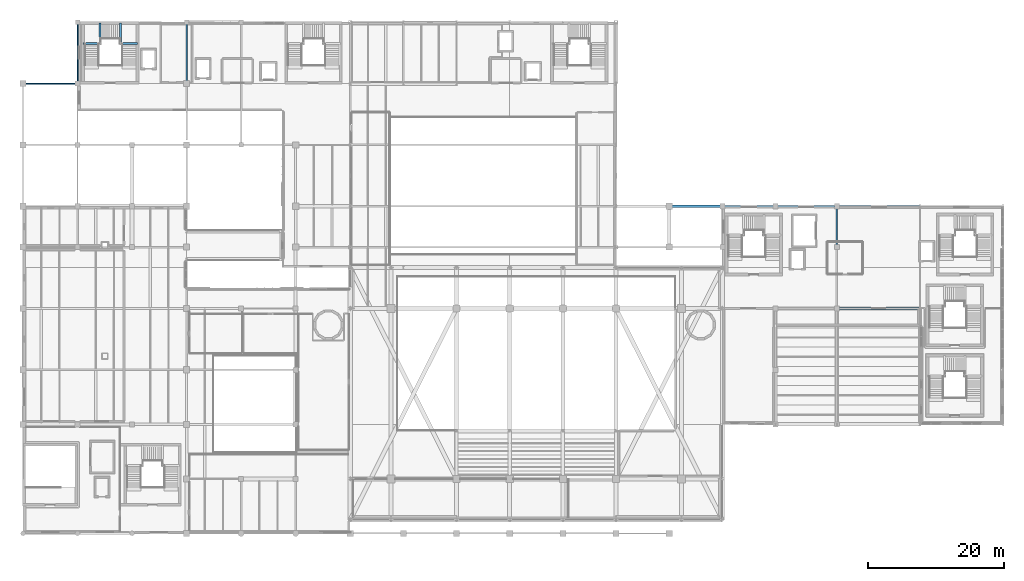
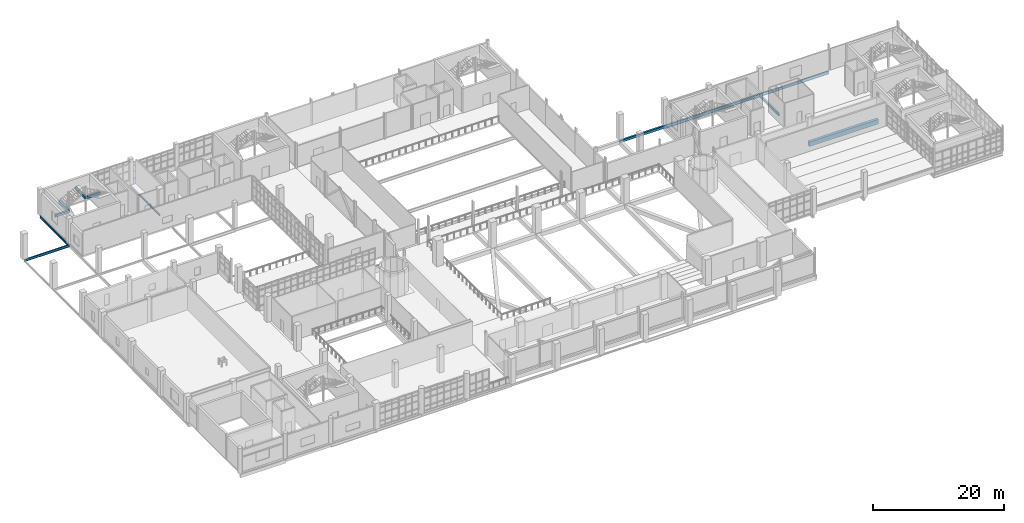
# One storey, part 43 of 100: 13 beams.
"""IFC4 building model written with IfcOpenShell, lengths in metres."""

from ifc_helpers import new_model, si_unit, derived_unit, direction, frame, origin, origin_2d, place, context, subcontext, project, spatial, rectangle, i_section, extrude, material, material_profile, profile_set, type_object, element, save


model = new_model("IFC4")

# Units and contexts
model_context = context("Model", 3, precision=1e-05, world=origin(), true_north=direction((0.0, 1.0)))
body_context = subcontext(model_context, "Body", "Model", "MODEL_VIEW")
ifc_project = project(units=[si_unit("LENGTHUNIT", "METRE"), si_unit("AREAUNIT", "SQUARE_METRE"), si_unit("VOLUMEUNIT", "CUBIC_METRE"), si_unit("PLANEANGLEUNIT", "RADIAN"), si_unit("MASSUNIT", "GRAM", prefix="KILO"), derived_unit("THERMALTRANSMITTANCEUNIT", [(si_unit("POWERUNIT", "WATT"), 1), (si_unit("LENGTHUNIT", "METRE"), -2), (si_unit("THERMODYNAMICTEMPERATUREUNIT", "KELVIN"), -1)])], contexts=[model_context])

# Site, building, storey
site_placement = place(None, origin())
site = spatial("IfcSite", under=ifc_project, at=site_placement, CompositionType="ELEMENT")
building_placement = place(site_placement, origin())
building = spatial("IfcBuilding", under=site, at=building_placement, Name="Nallur Shell Playhouse", CompositionType="ELEMENT")
storey_placement = place(building_placement, frame((0.0, 0.0, 10.199951171875)))
storey = spatial("IfcBuildingStorey", under=building, at=storey_placement, Name="L03", CompositionType="ELEMENT", Elevation=10.199951171875)

# Beams
ifc_material_1 = material(Name="Concrete M40", Category="concrete")
ifc_material_profile_1 = material_profile(ifc_material_1, rectangle(XDim=0.5, YDim=0.85009765625, at=origin_2d()), Name="RC 500x850")
ifc_profile_set_1 = profile_set([ifc_material_profile_1], Name="Concrete M40")
beam_type_1 = type_object("IfcBeamType", Name="BM-RC-500x850", PredefinedType="BEAM", material=ifc_profile_set_1)
beam_1_placement = place(storey_placement, frame((135.39990234375, 41.0, -0.46484375), z_axis=(1.0, 0.0, 0.0), x_axis=(0.0, 1.0, 0.0)))
element("IfcBeam", 1, at=beam_1_placement, inside=storey, type_object=beam_type_1, Name="Studio raker end tie girder F (135.4-147.6)", PredefinedType="BEAM", context=body_context, shape_type="SweptSolid", body=[
    extrude(rectangle(XDim=0.5, YDim=0.85009765625, at=origin_2d()), origin(), (0.0, 0.0, 1.0), 12.2001953125),
])
ifc_material_2 = material(Name="Concrete M35", Category="concrete")
ifc_material_profile_2 = material_profile(ifc_material_2, rectangle(XDim=0.300048828125, YDim=0.449951171875, at=origin_2d()), Name="RC 300x450")
ifc_profile_set_2 = profile_set([ifc_material_profile_2], Name="Concrete M35")
beam_type_2 = type_object("IfcBeamType", Name="BM-SPN-300x450", PredefinedType="SPANDREL", material=ifc_profile_set_2)
beam_2_placement = place(storey_placement, frame((110.800048828125, 56.0, -0.48486328125), z_axis=(1.0, 0.0, 0.0), x_axis=(0.0, 1.0, 0.0)))
element("IfcBeam", 2, at=beam_2_placement, inside=storey, type_object=beam_type_2, Name="L03 girder X-G-608", PredefinedType="SPANDREL", context=body_context, shape_type="SweptSolid", body=[
    extrude(rectangle(XDim=0.300048828125, YDim=0.449951171875, at=origin_2d()), origin(), (0.0, 0.0, 1.0), 7.800048828125),
])
beam_3_placement = place(storey_placement, frame((24.820068359375, 79.8798828125, 1.22509765625), z_axis=(1.0, 0.0, 0.0), x_axis=(0.0, 1.0, 0.0)))
element("IfcBeam", 3, at=beam_3_placement, inside=storey, type_object=beam_type_2, Name="Stair ST-06-L03 L1 south bearer beam", PredefinedType="SPANDREL", context=body_context, shape_type="SweptSolid", body=[
    extrude(rectangle(XDim=0.300048828125, YDim=0.449951171875, at=origin_2d()), origin(), (0.0, 0.0, 1.0), 2.559814453125),
])
beam_4_placement = place(storey_placement, frame((27.320068359375, 79.8798828125, 1.22509765625), z_axis=(0.0, 1.0, 0.0), x_axis=(-1.0, 0.0, 0.0)))
element("IfcBeam", 4, at=beam_4_placement, inside=storey, type_object=beam_type_2, Name="Stair ST-06-L03 L1 east bearer beam", PredefinedType="SPANDREL", context=body_context, shape_type="SweptSolid", body=[
    extrude(rectangle(XDim=0.300048828125, YDim=0.449951171875, at=origin_2d()), origin(), (0.0, 0.0, 1.0), 3.0),
])
beam_5_placement = place(storey_placement, frame((30.219970703125, 79.8798828125, 2.72509765625), z_axis=(1.0, 0.0, 0.0), x_axis=(0.0, 1.0, 0.0)))
element("IfcBeam", 5, at=beam_5_placement, inside=storey, type_object=beam_type_2, Name="Stair ST-06-L03 L2 south bearer beam", PredefinedType="SPANDREL", context=body_context, shape_type="SweptSolid", body=[
    extrude(rectangle(XDim=0.300048828125, YDim=0.449951171875, at=origin_2d()), origin(), (0.0, 0.0, 1.0), 2.56005859375),
])
beam_6_placement = place(storey_placement, frame((30.280029296875, 79.8798828125, 2.72509765625), z_axis=(0.0, 1.0, 0.0), x_axis=(-1.0, 0.0, 0.0)))
element("IfcBeam", 6, at=beam_6_placement, inside=storey, type_object=beam_type_2, Name="Stair ST-06-L03 L2 west bearer beam", PredefinedType="SPANDREL", context=body_context, shape_type="SweptSolid", body=[
    extrude(rectangle(XDim=0.300048828125, YDim=0.449951171875, at=origin_2d()), origin(), (0.0, 0.0, 1.0), 3.0),
])
ifc_material_3 = material(Name="Steel E350", Category="steel")
ifc_material_profile_3 = material_profile(ifc_material_3, i_section(OverallWidth=0.14990234375, OverallDepth=0.449951171875, WebThickness=0.009521484375, FlangeThickness=0.017333984375, FilletRadius=0.014892578125, at=origin_2d()), Name="ISMB 450")
ifc_profile_set_3 = profile_set([ifc_material_profile_3], Name="Steel E350")
beam_type_3 = type_object("IfcBeamType", Name="BM-ST-ISMB450", PredefinedType="BEAM", material=ifc_profile_set_3)
beam_7_placement = place(storey_placement, frame((16.0, 74.0, -0.48486328125), z_axis=(1.0, 0.0, 0.0), x_axis=(0.0, 1.0, 0.0)))
element("IfcBeam", 7, at=beam_7_placement, inside=storey, type_object=beam_type_3, Name="L03 girder X-J-619", PredefinedType="BEAM", context=body_context, shape_type="SweptSolid", body=[
    extrude(i_section(OverallWidth=0.14990234375, OverallDepth=0.449951171875, WebThickness=0.009521484375, FlangeThickness=0.017333984375, FilletRadius=0.014892578125, at=origin_2d()), origin(), (0.0, 0.0, 1.0), 8.0),
])
beam_8_placement = place(storey_placement, frame((24.0, 74.0, -0.48486328125), z_axis=(0.0, 1.0, 0.0), x_axis=(-1.0, 0.0, 0.0)))
element("IfcBeam", 8, at=beam_8_placement, inside=storey, type_object=beam_type_3, Name="L03 girder Y-3-635", PredefinedType="BEAM", context=body_context, shape_type="SweptSolid", body=[
    extrude(i_section(OverallWidth=0.14990234375, OverallDepth=0.449951171875, WebThickness=0.009521484375, FlangeThickness=0.017333984375, FilletRadius=0.014892578125, at=origin_2d()), origin(), (0.0, 0.0, 1.0), 9.0),
])
ifc_material_4 = material(Name="Steel E250", Category="steel")
ifc_material_profile_4 = material_profile(ifc_material_4, i_section(OverallWidth=0.199951171875, OverallDepth=0.300048828125, WebThickness=0.00732421875, FlangeThickness=0.010009765625, FilletRadius=0.010986328125, at=origin_2d()), Name="ISWB 300")
ifc_profile_set_4 = profile_set([ifc_material_profile_4], Name="Steel E250")
beam_type_4 = type_object("IfcBeamType", Name="BM-ST-ISWB300", PredefinedType="BEAM", material=ifc_profile_set_4)
beam_9_placement = place(storey_placement, frame((40.0, 74.0, -0.409912109375), z_axis=(0.0, 1.0, 0.0), x_axis=(-1.0, 0.0, 0.0)))
element("IfcBeam", 9, at=beam_9_placement, inside=storey, type_object=beam_type_4, Name="L03 girder Y-5-647", PredefinedType="BEAM", context=body_context, shape_type="SweptSolid", body=[
    extrude(i_section(OverallWidth=0.199951171875, OverallDepth=0.300048828125, WebThickness=0.00732421875, FlangeThickness=0.010009765625, FilletRadius=0.010986328125, at=origin_2d()), origin(), (0.0, 0.0, 1.0), 9.0),
])
ifc_material_profile_5 = material_profile(ifc_material_3, i_section(OverallWidth=0.25, OverallDepth=0.5, WebThickness=0.010009765625, FlangeThickness=0.0146484375, FilletRadius=0.014892578125, at=origin_2d()), Name="ISWB 500")
ifc_profile_set_5 = profile_set([ifc_material_profile_5], Name="Steel E350")
beam_type_5 = type_object("IfcBeamType", Name="BM-ST-ISWB500", PredefinedType="BEAM", material=ifc_profile_set_5)
beam_10_placement = place(storey_placement, frame((135.39990234375, 56.0, -0.510009765625), z_axis=(1.0, 0.0, 0.0), x_axis=(0.0, 1.0, 0.0)))
element("IfcBeam", 10, at=beam_10_placement, inside=storey, type_object=beam_type_5, Name="L03 girder X-G-611", PredefinedType="BEAM", context=body_context, shape_type="SweptSolid", body=[
    extrude(i_section(OverallWidth=0.25, OverallDepth=0.5, WebThickness=0.010009765625, FlangeThickness=0.0146484375, FilletRadius=0.014892578125, at=origin_2d()), origin(), (0.0, 0.0, 1.0), 12.2001953125),
])
beam_11_placement = place(storey_placement, frame((135.39990234375, 50.0, -0.510009765625), z_axis=(0.0, 1.0, 0.0), x_axis=(-1.0, 0.0, 0.0)))
element("IfcBeam", 11, at=beam_11_placement, inside=storey, type_object=beam_type_5, Name="L03 girder Y-17-675", PredefinedType="BEAM", context=body_context, shape_type="SweptSolid", body=[
    extrude(i_section(OverallWidth=0.25, OverallDepth=0.5, WebThickness=0.010009765625, FlangeThickness=0.0146484375, FilletRadius=0.014892578125, at=origin_2d()), origin(), (0.0, 0.0, 1.0), 6.0),
])
ifc_material_profile_6 = material_profile(ifc_material_3, i_section(OverallWidth=0.25, OverallDepth=0.550048828125, WebThickness=0.010498046875, FlangeThickness=0.017578125, FilletRadius=0.01611328125, at=origin_2d()), Name="ISWB 550")
ifc_profile_set_6 = profile_set([ifc_material_profile_6], Name="Steel E350")
beam_type_6 = type_object("IfcBeamType", Name="BM-ST-ISWB550", PredefinedType="BEAM", material=ifc_profile_set_6)
beam_12_placement = place(storey_placement, frame((126.39990234375, 56.0, -0.534912109375), z_axis=(1.0, 0.0, 0.0), x_axis=(0.0, 1.0, 0.0)))
element("IfcBeam", 12, at=beam_12_placement, inside=storey, type_object=beam_type_6, Name="L03 girder X-G-610", PredefinedType="BEAM", context=body_context, shape_type="SweptSolid", body=[
    extrude(i_section(OverallWidth=0.25, OverallDepth=0.550048828125, WebThickness=0.010498046875, FlangeThickness=0.017578125, FilletRadius=0.01611328125, at=origin_2d()), origin(), (0.0, 0.0, 1.0), 9.0),
])
ifc_material_profile_7 = material_profile(ifc_material_3, i_section(OverallWidth=0.25, OverallDepth=0.60009765625, WebThickness=0.01171875, FlangeThickness=0.023681640625, FilletRadius=0.01708984375, at=origin_2d()), Name="ISWB 600")
ifc_profile_set_7 = profile_set([ifc_material_profile_7], Name="Steel E350")
beam_type_7 = type_object("IfcBeamType", Name="BM-ST-ISWB600", PredefinedType="BEAM", material=ifc_profile_set_7)
beam_13_placement = place(storey_placement, frame((118.60009765625, 56.0, -0.56005859375), z_axis=(1.0, 0.0, 0.0), x_axis=(0.0, 1.0, 0.0)))
element("IfcBeam", 13, at=beam_13_placement, inside=storey, type_object=beam_type_7, Name="L03 girder X-G-609", PredefinedType="BEAM", context=body_context, shape_type="SweptSolid", body=[
    extrude(i_section(OverallWidth=0.25, OverallDepth=0.60009765625, WebThickness=0.01171875, FlangeThickness=0.023681640625, FilletRadius=0.01708984375, at=origin_2d()), origin(), (0.0, 0.0, 1.0), 7.7998046875),
])

save(model, "model.ifc")
